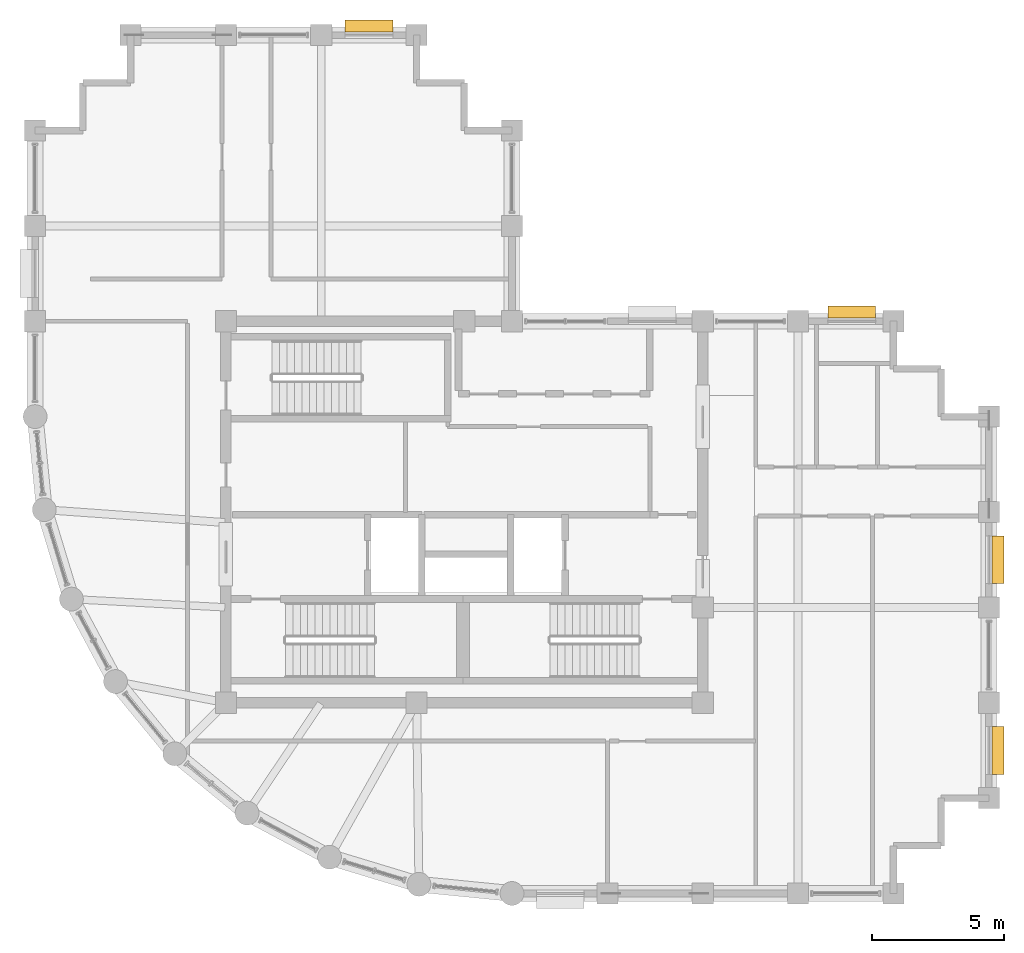
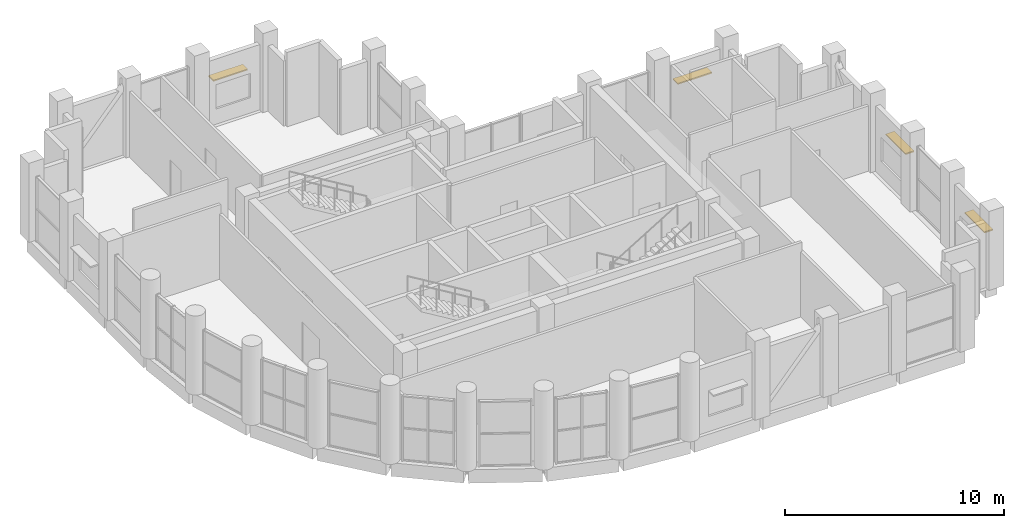
# One storey, part 18 of 18: 4 shading devices.
"""IFC4 building model written with IfcOpenShell, lengths in metres."""

from ifc_helpers import new_model, si_unit, direction, frame, origin, origin_2d, place, context, subcontext, project, spatial, rectangle, extrude, material, layer, layer_set, type_object, element, save


model = new_model("IFC4")

# Units and contexts
model_context = context("Model", 3, precision=1e-05, world=origin(), true_north=direction((0.0, 1.0)))
body_context = subcontext(model_context, "Body", "Model", "MODEL_VIEW")
ifc_project = project(units=[si_unit("LENGTHUNIT", "METRE"), si_unit("AREAUNIT", "SQUARE_METRE"), si_unit("VOLUMEUNIT", "CUBIC_METRE"), si_unit("PLANEANGLEUNIT", "RADIAN"), si_unit("MASSUNIT", "GRAM", prefix="KILO")], contexts=[model_context])

# Site, building, storey
site_placement = place(None, origin())
site = spatial("IfcSite", under=ifc_project, at=site_placement, CompositionType="ELEMENT")
building_placement = place(site_placement, origin())
building = spatial("IfcBuilding", under=site, at=building_placement, Name="Solnavia Interchange Tower", CompositionType="ELEMENT")
storey_placement = place(building_placement, frame((0.0, 0.0, 295.39990234375)))
storey = spatial("IfcBuildingStorey", under=building, at=storey_placement, Name="L75", CompositionType="ELEMENT", Elevation=295.39990234375)

# Shading devices
ifc_material = material(Name="Anodised Aluminium Sunshade", Category="aluminium")
ifc_layer = layer(ifc_material, 0.070068359375)
ifc_layer_set = layer_set([ifc_layer], Name="Anodised Aluminium Sunshade")
shading_device_type = type_object("IfcShadingDeviceType", Name="Sunshade-Band-450", PredefinedType="JALOUSIE", material=ifc_layer_set)
for number, where, z_axis, x_axis, name in (
    (1, (43.544921875, 9.0, 2.22509765625), (0.0, 0.0, 1.0), (0.0, -1.0, 0.0), "SHD-L75-09 Horizontal sunshade band"),
    (2, (43.544921875, 16.199951171875, 2.22509765625), (0.0, 0.0, 1.0), (0.0, -1.0, 0.0), "SHD-L75-11 Horizontal sunshade band"),
    (3, (38.02001953125, 25.544921875, 2.22509765625), (0.0, 0.0, 1.0), (1.0, 0.0, 0.0), "SHD-L75-17 Horizontal sunshade band"),
    (4, (19.800048828125, 36.344970703125, 2.22509765625), (0.0, 0.0, 1.0), (1.0, 0.0, 0.0), "SHD-L75-27 Horizontal sunshade band"),
):
    element("IfcShadingDevice", number, at=place(storey_placement, frame(where, z_axis=z_axis, x_axis=x_axis)), inside=storey, type_object=shading_device_type, Name=name, PredefinedType="JALOUSIE", context=body_context, shape_type="SweptSolid", body=[
        extrude(rectangle(XDim=1.800048828125, YDim=0.449951171875, at=origin_2d()), origin(), (0.0, 0.0, 1.0), 0.070068359375),
    ])

save(model, "model.ifc")
